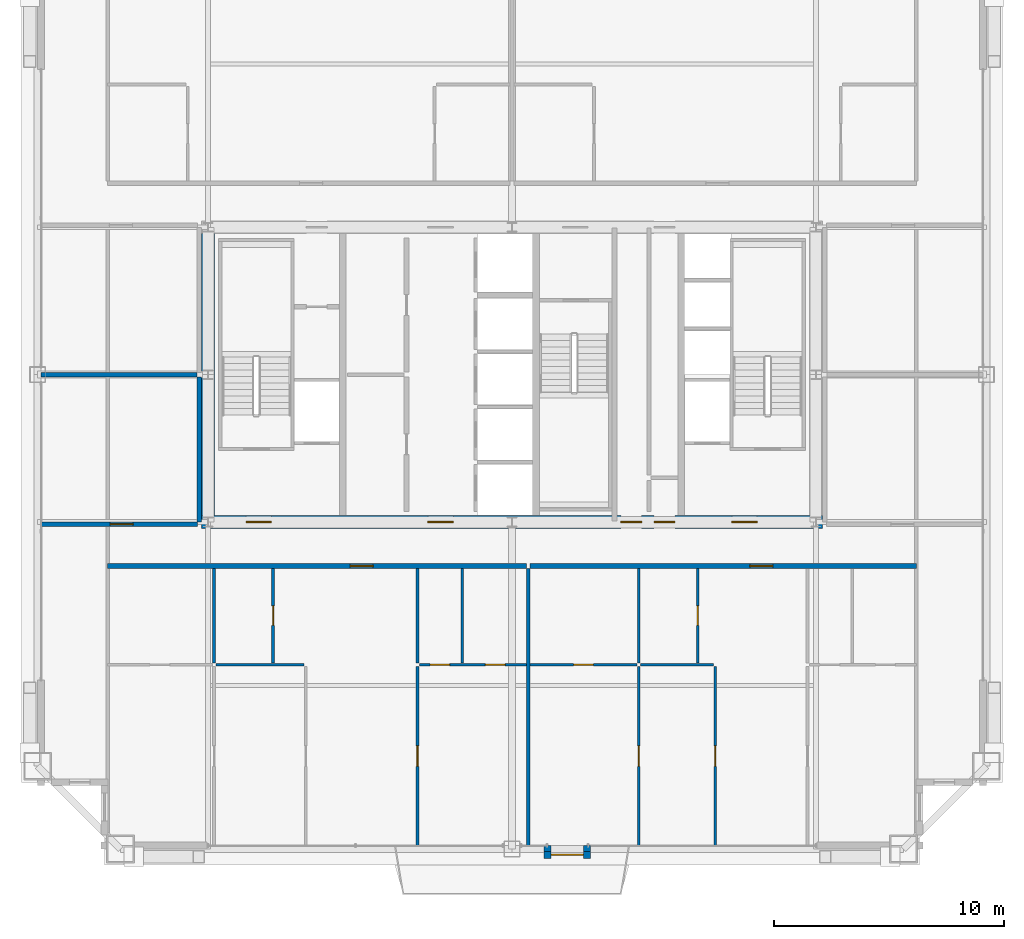
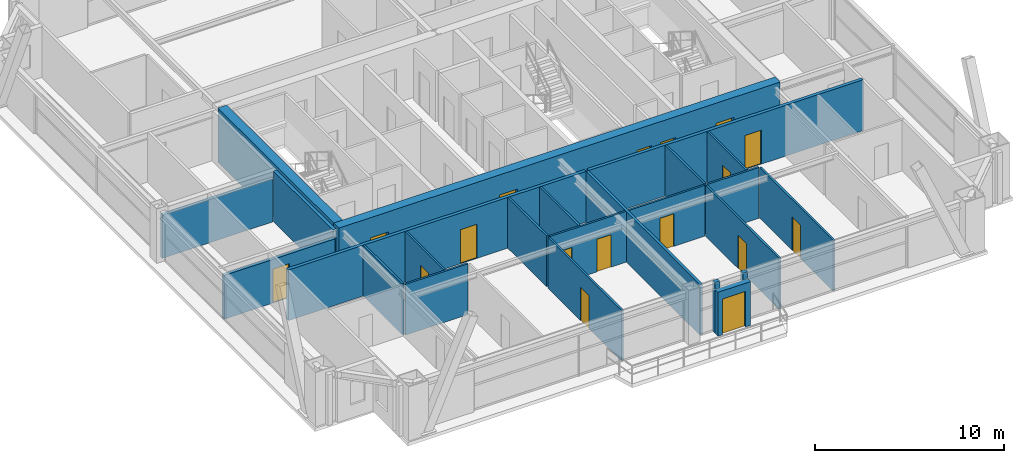
# One storey, part 31 of 35: 24 walls, 17 doors, 17 openings.
"""IFC4 building model written with IfcOpenShell, lengths in metres."""

from ifc_helpers import new_model, si_unit, direction, frame, frame_2d, origin, place, context, subcontext, project, spatial, rectangle, extrude, source, transform, mapped, material, layer, layer_set, type_object, element, fill, save


model = new_model("IFC4")

# Units and contexts
model_context = context("Model", 3, precision=1e-05, world=origin(), true_north=direction((0.0, 1.0)))
body_context = subcontext(model_context, "Body", "Model", "MODEL_VIEW")
ifc_project = project(units=[si_unit("LENGTHUNIT", "METRE"), si_unit("AREAUNIT", "SQUARE_METRE"), si_unit("VOLUMEUNIT", "CUBIC_METRE"), si_unit("PLANEANGLEUNIT", "RADIAN"), si_unit("MASSUNIT", "GRAM", prefix="KILO"), si_unit("THERMODYNAMICTEMPERATUREUNIT", "KELVIN"), si_unit("POWERUNIT", "WATT")], contexts=[model_context])

# Site, building, storey
site_placement = place(None, origin())
site = spatial("IfcSite", under=ifc_project, at=site_placement, CompositionType="ELEMENT")
building_placement = place(site_placement, origin())
building = spatial("IfcBuilding", under=site, at=building_placement, Name="Yuzanri Waterfront Tower", CompositionType="ELEMENT")
storey_placement = place(building_placement, frame((0.0, 0.0, 227.60009765625)))
storey = spatial("IfcBuildingStorey", under=building, at=storey_placement, Name="L60", CompositionType="ELEMENT", Elevation=227.60009765625)

# Wall, opening, door
ifc_material_1 = material(Name="Moisture-Resistant Gypsum Stud Wall", Category="gypsum")
ifc_layer_1 = layer(ifc_material_1, 0.1201171875)
ifc_layer_set_1 = layer_set([ifc_layer_1], Name="Moisture-Resistant Gypsum Stud Wall")
wall_type_1 = type_object("IfcWallType", Name="Bathroom and Kitchen Wet Partition 120", PredefinedType="PARTITIONING", material=ifc_layer_set_1)
wall_1_placement = place(storey_placement, frame((26.625, 13.280029296875, 0.0), z_axis=(0.0, 0.0, 1.0), x_axis=(0.0, 1.0, 0.0)))
wall_1 = element("IfcWall", 1, at=wall_1_placement, inside=storey, type_object=wall_type_1, Name="L60 Partition UW-L60-RS1-SUB-2-E", PredefinedType="PARTITIONING", context=body_context, shape_type="SweptSolid", body=[
    extrude(rectangle(XDim=4.10986328125, YDim=0.1201171875, at=frame_2d((2.054931640625, 0.0))), origin(), (0.0, 0.0, 1.0), 3.27978515625),
])
opening_1_placement = place(wall_1_placement, frame((1.6298828125, 0.0, 0.0)))
opening_1 = element("IfcOpeningElement", 2, at=opening_1_placement, cuts=wall_1, Name="Opening ID-0850", PredefinedType="OPENING", context=body_context, shape_type="SweptSolid", body=[
    extrude(rectangle(XDim=0.85009765625, YDim=2.10009765625, at=frame_2d((0.425048828125, 1.050048828125))), frame((0.0, 0.074951171875, 0.0), z_axis=(0.0, -1.0, 0.0), x_axis=(1.0, 0.0, 0.0)), (0.0, 0.0, 1.0), 0.14990234375),
])
ifc_material_2 = material(Name="Moisture-Resistant Lacquered Timber", Category="wood")
door_type_1 = type_object("IfcDoorType", Name="En-Suite Bathroom and Kitchen Swing Door 850x2100", OperationType="NOTDEFINED", PredefinedType="DOOR", material=ifc_material_2)
shared_shape_1 = source(origin(), body_context, "Body", "SweptSolid", [
    extrude(rectangle(XDim=0.85009765625, YDim=2.10009765625, at=frame_2d((0.425048828125, 1.050048828125))), frame((0.0, 0.02490234375, 0.0), z_axis=(0.0, -1.0, 0.0), x_axis=(1.0, 0.0, 0.0)), (0.0, 0.0, 1.0), 0.050048828125),
])
door_1_placement = place(opening_1_placement, origin())
door_1 = element("IfcDoor", 3, at=door_1_placement, inside=storey, type_object=door_type_1, Name="L60 Suite Interior Room Door", OperationType="SINGLE_SWING_LEFT", OverallHeight=2.10009765625, OverallWidth=0.85009765625, PredefinedType="DOOR", context=body_context, shape_type="MappedRepresentation", body=[
    mapped(shared_shape_1, transform((0.0, 0.0, 0.0), scale=1.0)),
])
fill(opening_1, door_1)

# Wall, openings, doors
wall_2_placement = place(storey_placement, frame((32.97509765625, 13.199951171875, 0.0), z_axis=(0.0, 0.0, 1.0), x_axis=(1.0, 0.0, 0.0)))
wall_2 = element("IfcWall", 4, at=wall_2_placement, inside=storey, type_object=wall_type_1, Name="L60 Partition UW-L60-RS1-SUB-6-N", PredefinedType="PARTITIONING", context=body_context, shape_type="SweptSolid", body=[
    extrude(rectangle(XDim=4.64697265625, YDim=0.1201171875, at=frame_2d((2.323486328125, 0.0))), origin(), (0.0, 0.0, 1.0), 3.27978515625),
])
opening_2_placement = place(wall_2_placement, frame((2.8720703125, 0.0, 0.0)))
opening_2 = element("IfcOpeningElement", 5, at=opening_2_placement, cuts=wall_2, Name="Opening ID-0850", PredefinedType="OPENING", context=body_context, shape_type="SweptSolid", body=[
    extrude(rectangle(XDim=0.85009765625, YDim=2.10009765625, at=frame_2d((0.425048828125, 1.050048828125))), frame((0.0, 0.074951171875, 0.0), z_axis=(0.0, -1.0, 0.0), x_axis=(1.0, 0.0, 0.0)), (0.0, 0.0, 1.0), 0.14990234375),
])
opening_3_placement = place(wall_2_placement, frame((0.468505859375, 0.0, 0.0)))
opening_3 = element("IfcOpeningElement", 6, at=opening_3_placement, cuts=wall_2, Name="Opening ID-0850", PredefinedType="OPENING", context=body_context, shape_type="SweptSolid", body=[
    extrude(rectangle(XDim=0.85009765625, YDim=2.10009765625, at=frame_2d((0.425048828125, 1.050048828125))), frame((0.0, 0.074951171875, 0.0), z_axis=(0.0, -1.0, 0.0), x_axis=(1.0, 0.0, 0.0)), (0.0, 0.0, 1.0), 0.14990234375),
])
door_2_placement = place(opening_2_placement, origin())
door_2 = element("IfcDoor", 7, at=door_2_placement, inside=storey, type_object=door_type_1, Name="L60 Suite Interior Room Door", OperationType="SINGLE_SWING_RIGHT", OverallHeight=2.10009765625, OverallWidth=0.85009765625, PredefinedType="DOOR", context=body_context, shape_type="MappedRepresentation", body=[
    mapped(shared_shape_1, transform((0.0, 0.0, 0.0), scale=1.0)),
])
fill(opening_2, door_2)
door_3_placement = place(opening_3_placement, origin())
door_3 = element("IfcDoor", 8, at=door_3_placement, inside=storey, type_object=door_type_1, Name="L60 Suite Interior Room Door", OperationType="SINGLE_SWING_LEFT", OverallHeight=2.10009765625, OverallWidth=0.85009765625, PredefinedType="DOOR", context=body_context, shape_type="MappedRepresentation", body=[
    mapped(shared_shape_1, transform((0.0, 0.0, 0.0), scale=1.0)),
])
fill(opening_3, door_3)

# Wall, opening, door
wall_3_placement = place(storey_placement, frame((32.89501953125, 5.35009765625, 0.0), z_axis=(0.0, 0.0, 1.0), x_axis=(0.0, 1.0, 0.0)))
wall_3 = element("IfcWall", 9, at=wall_3_placement, inside=storey, type_object=wall_type_1, Name="L60 Partition UW-L60-RS1-SUB-6-W", PredefinedType="PARTITIONING", context=body_context, shape_type="SweptSolid", body=[
    extrude(rectangle(XDim=7.77001953125, YDim=0.1201171875, at=frame_2d((3.885009765625, 0.0))), origin(), (0.0, 0.0, 1.0), 3.27978515625),
])
opening_4_placement = place(wall_3_placement, frame((3.43505859375, 0.0, 0.0)))
opening_4 = element("IfcOpeningElement", 10, at=opening_4_placement, cuts=wall_3, Name="Opening ID-0900", PredefinedType="OPENING", context=body_context, shape_type="SweptSolid", body=[
    extrude(rectangle(XDim=0.89990234375, YDim=2.14990234375, at=frame_2d((0.449951171875, 1.074951171875))), frame((0.0, 0.074951171875, 0.0), z_axis=(0.0, -1.0, 0.0), x_axis=(1.0, 0.0, 0.0)), (0.0, 0.0, 1.0), 0.14990234375),
])
ifc_material_3 = material(Name="Stained Walnut Veneer Timber", Category="wood")
door_type_2 = type_object("IfcDoorType", Name="Bedroom and Study Interior Swing Door 900x2150", OperationType="NOTDEFINED", PredefinedType="DOOR", material=ifc_material_3)
shared_shape_2 = source(origin(), body_context, "Body", "SweptSolid", [
    extrude(rectangle(XDim=0.89990234375, YDim=2.14990234375, at=frame_2d((0.449951171875, 1.074951171875))), frame((0.0, 0.02490234375, 0.0), z_axis=(0.0, -1.0, 0.0), x_axis=(1.0, 0.0, 0.0)), (0.0, 0.0, 1.0), 0.050048828125),
])
door_4_placement = place(opening_4_placement, origin())
door_4 = element("IfcDoor", 11, at=door_4_placement, inside=storey, type_object=door_type_2, Name="L60 Suite Interior Room Door", OperationType="SINGLE_SWING_LEFT", OverallHeight=2.14990234375, OverallWidth=0.89990234375, PredefinedType="DOOR", context=body_context, shape_type="MappedRepresentation", body=[
    mapped(shared_shape_2, transform((0.0, 0.0, 0.0), scale=1.0)),
])
fill(opening_4, door_4)

wall_4_placement = place(storey_placement, frame((37.781982421875, 13.199951171875, 0.0), z_axis=(0.0, 0.0, 1.0), x_axis=(1.0, 0.0, 0.0)))
wall_4 = element("IfcWall", 12, at=wall_4_placement, inside=storey, type_object=wall_type_1, Name="L60 Partition UW-L60-RS2-SUB-1-S", PredefinedType="PARTITIONING", context=body_context, shape_type="SweptSolid", body=[
    extrude(rectangle(XDim=4.64697265625, YDim=0.1201171875, at=frame_2d((2.323486328125, 0.0))), origin(), (0.0, 0.0, 1.0), 3.27978515625),
])
opening_5_placement = place(wall_4_placement, frame((1.8984375, 0.0, 0.0)))
opening_5 = element("IfcOpeningElement", 13, at=opening_5_placement, cuts=wall_4, Name="Opening ID-0850", PredefinedType="OPENING", context=body_context, shape_type="SweptSolid", body=[
    extrude(rectangle(XDim=0.85009765625, YDim=2.10009765625, at=frame_2d((0.425048828125, 1.050048828125))), frame((0.0, 0.074951171875, 0.0), z_axis=(0.0, -1.0, 0.0), x_axis=(1.0, 0.0, 0.0)), (0.0, 0.0, 1.0), 0.14990234375),
])
door_5_placement = place(opening_5_placement, origin())
door_5 = element("IfcDoor", 14, at=door_5_placement, inside=storey, type_object=door_type_1, Name="L60 Suite Interior Room Door", OperationType="SINGLE_SWING_RIGHT", OverallHeight=2.10009765625, OverallWidth=0.85009765625, PredefinedType="DOOR", context=body_context, shape_type="MappedRepresentation", body=[
    mapped(shared_shape_1, transform((0.0, 0.0, 0.0), scale=1.0)),
])
fill(opening_5, door_5)

wall_5_placement = place(storey_placement, frame((45.069091796875, 13.280029296875, 0.0), z_axis=(0.0, 0.0, 1.0), x_axis=(0.0, 1.0, 0.0)))
wall_5 = element("IfcWall", 15, at=wall_5_placement, inside=storey, type_object=wall_type_1, Name="L60 Partition UW-L60-RS2-SUB-2-E", PredefinedType="PARTITIONING", context=body_context, shape_type="SweptSolid", body=[
    extrude(rectangle(XDim=4.10986328125, YDim=0.1201171875, at=frame_2d((2.054931640625, 0.0))), origin(), (0.0, 0.0, 1.0), 3.27978515625),
])
opening_6_placement = place(wall_5_placement, frame((1.6298828125, 0.0, 0.0)))
opening_6 = element("IfcOpeningElement", 16, at=opening_6_placement, cuts=wall_5, Name="Opening ID-0850", PredefinedType="OPENING", context=body_context, shape_type="SweptSolid", body=[
    extrude(rectangle(XDim=0.85009765625, YDim=2.10009765625, at=frame_2d((0.425048828125, 1.050048828125))), frame((0.0, 0.074951171875, 0.0), z_axis=(0.0, -1.0, 0.0), x_axis=(1.0, 0.0, 0.0)), (0.0, 0.0, 1.0), 0.14990234375),
])
door_6_placement = place(opening_6_placement, origin())
door_6 = element("IfcDoor", 17, at=door_6_placement, inside=storey, type_object=door_type_1, Name="L60 Suite Interior Room Door", OperationType="SINGLE_SWING_LEFT", OverallHeight=2.10009765625, OverallWidth=0.85009765625, PredefinedType="DOOR", context=body_context, shape_type="MappedRepresentation", body=[
    mapped(shared_shape_1, transform((0.0, 0.0, 0.0), scale=1.0)),
])
fill(opening_6, door_6)

wall_6_placement = place(storey_placement, frame((42.509033203125, 5.35009765625, 0.0), z_axis=(0.0, 0.0, 1.0), x_axis=(0.0, 1.0, 0.0)))
wall_6 = element("IfcWall", 18, at=wall_6_placement, inside=storey, type_object=wall_type_1, Name="L60 Partition UW-L60-RS2-SUB-5-E", PredefinedType="PARTITIONING", context=body_context, shape_type="SweptSolid", body=[
    extrude(rectangle(XDim=7.77001953125, YDim=0.1201171875, at=frame_2d((3.885009765625, 0.0))), origin(), (0.0, 0.0, 1.0), 3.27978515625),
])
opening_7_placement = place(wall_6_placement, frame((3.43505859375, 0.0, 0.0)))
opening_7 = element("IfcOpeningElement", 19, at=opening_7_placement, cuts=wall_6, Name="Opening ID-0900", PredefinedType="OPENING", context=body_context, shape_type="SweptSolid", body=[
    extrude(rectangle(XDim=0.89990234375, YDim=2.14990234375, at=frame_2d((0.449951171875, 1.074951171875))), frame((0.0, 0.074951171875, 0.0), z_axis=(0.0, -1.0, 0.0), x_axis=(1.0, 0.0, 0.0)), (0.0, 0.0, 1.0), 0.14990234375),
])
door_7_placement = place(opening_7_placement, origin())
door_7 = element("IfcDoor", 20, at=door_7_placement, inside=storey, type_object=door_type_2, Name="L60 Suite Interior Room Door", OperationType="SINGLE_SWING_RIGHT", OverallHeight=2.14990234375, OverallWidth=0.89990234375, PredefinedType="DOOR", context=body_context, shape_type="MappedRepresentation", body=[
    mapped(shared_shape_2, transform((0.0, 0.0, 0.0), scale=1.0)),
])
fill(opening_7, door_7)

wall_7_placement = place(storey_placement, frame((45.821044921875, 5.35009765625, 0.0), z_axis=(0.0, 0.0, 1.0), x_axis=(0.0, 1.0, 0.0)))
wall_7 = element("IfcWall", 21, at=wall_7_placement, inside=storey, type_object=wall_type_1, Name="L60 Partition UW-L60-RS2-SUB-7-E", PredefinedType="PARTITIONING", context=body_context, shape_type="SweptSolid", body=[
    extrude(rectangle(XDim=7.77001953125, YDim=0.1201171875, at=frame_2d((3.885009765625, 0.0))), origin(), (0.0, 0.0, 1.0), 3.27978515625),
])
opening_8_placement = place(wall_7_placement, frame((3.43505859375, 0.0, 0.0)))
opening_8 = element("IfcOpeningElement", 22, at=opening_8_placement, cuts=wall_7, Name="Opening ID-0900", PredefinedType="OPENING", context=body_context, shape_type="SweptSolid", body=[
    extrude(rectangle(XDim=0.89990234375, YDim=2.14990234375, at=frame_2d((0.449951171875, 1.074951171875))), frame((0.0, 0.074951171875, 0.0), z_axis=(0.0, -1.0, 0.0), x_axis=(1.0, 0.0, 0.0)), (0.0, 0.0, 1.0), 0.14990234375),
])
door_8_placement = place(opening_8_placement, origin())
door_8 = element("IfcDoor", 23, at=door_8_placement, inside=storey, type_object=door_type_2, Name="L60 Suite Interior Room Door", OperationType="SINGLE_SWING_RIGHT", OverallHeight=2.14990234375, OverallWidth=0.89990234375, PredefinedType="DOOR", context=body_context, shape_type="MappedRepresentation", body=[
    mapped(shared_shape_2, transform((0.0, 0.0, 0.0), scale=1.0)),
])
fill(opening_8, door_8)

ifc_material_4 = material(Name="Honed Chongqing Dark Basalt Stone", Category="masonry")
ifc_layer_2 = layer(ifc_material_4, 0.300048828125)
ifc_layer_set_2 = layer_set([ifc_layer_2], Name="Honed Chongqing Dark Basalt Stone")
wall_type_2 = type_object("IfcWallType", Name="Bronze Rainscreen Insulated Spandrel Portal Wall 300", PredefinedType="SOLIDWALL", material=ifc_layer_set_2)
wall_8_placement = place(storey_placement, frame((38.39990234375, 4.949951171875, 0.0), z_axis=(0.0, 0.0, 1.0), x_axis=(1.0, 0.0, 0.0)))
wall_8 = element("IfcWall", 24, at=wall_8_placement, inside=storey, type_object=wall_type_2, Name="L60 S Terrace Door Portal Wall", PredefinedType="SOLIDWALL", context=body_context, shape_type="SweptSolid", body=[
    extrude(rectangle(XDim=2.0, YDim=0.300048828125, at=frame_2d((1.0, 0.0))), origin(), (0.0, 0.0, 1.0), 2.8349609375),
])
opening_9_placement = place(wall_8_placement, frame((0.300048828125, 0.0, 0.0)))
opening_9 = element("IfcOpeningElement", 25, at=opening_9_placement, cuts=wall_8, Name="Opening TD-1400", PredefinedType="OPENING", context=body_context, shape_type="SweptSolid", body=[
    extrude(rectangle(XDim=1.39990234375, YDim=2.300048828125, at=frame_2d((0.699951171875, 1.14990234375))), frame((0.0, 0.1650390625, 0.0), z_axis=(0.0, -1.0, 0.0), x_axis=(1.0, 0.0, 0.0)), (0.0, 0.0, 1.0), 0.329833984375),
])
ifc_material_5 = material(Name="Anodized Architectural Bronze", Category="metal")
door_type_3 = type_object("IfcDoorType", Name="Anodized Bronze Balcony and Terrace Glazed Double Door 1400x2300", OperationType="NOTDEFINED", PredefinedType="DOOR", material=ifc_material_5)
shared_shape_3 = source(origin(), body_context, "Body", "SweptSolid", [
    extrude(rectangle(XDim=1.39990234375, YDim=2.300048828125, at=frame_2d((0.699951171875, 1.14990234375))), frame((0.0, 0.02490234375, 0.0), z_axis=(0.0, -1.0, 0.0), x_axis=(1.0, 0.0, 0.0)), (0.0, 0.0, 1.0), 0.050048828125),
])
door_9_placement = place(opening_9_placement, origin())
door_9 = element("IfcDoor", 26, at=door_9_placement, inside=storey, type_object=door_type_3, Name="L60 S Terrace Glazed Double Door", OperationType="DOUBLE_DOOR_SINGLE_SWING", OverallHeight=2.300048828125, OverallWidth=1.39990234375, PredefinedType="DOOR", context=body_context, shape_type="MappedRepresentation", body=[
    mapped(shared_shape_3, transform((0.0, 0.0, 0.0), scale=1.0)),
])
fill(opening_9, door_9)

# Wall, openings, doors
ifc_material_6 = material(Name="Concrete C50", Category="concrete")
ifc_layer_3 = layer(ifc_material_6, 0.550048828125)
ifc_layer_set_3 = layer_set([ifc_layer_3], Name="Concrete C50")
wall_type_3 = type_object("IfcWallType", Name="Concrete C50 Upper-Mid Zone Core Shear Wall 550", PredefinedType="SHEAR", material=ifc_layer_set_3)
wall_9_placement = place(storey_placement, frame((23.52490234375, 19.39990234375, 0.0), z_axis=(0.0, 0.0, 1.0), x_axis=(1.0, 0.0, 0.0)))
wall_9 = element("IfcWall", 27, at=wall_9_placement, inside=storey, type_object=wall_type_3, Name="L60 Core South Shear Wall", PredefinedType="SHEAR", context=body_context, shape_type="SweptSolid", body=[
    extrude(rectangle(XDim=26.9501953125, YDim=0.550048828125, at=frame_2d((13.47509765625, 0.0))), origin(), (0.0, 0.0, 1.0), 3.5),
])
opening_10_placement = place(wall_9_placement, frame((1.925048828125, 0.0, 0.0)))
opening_10 = element("IfcOpeningElement", 28, at=opening_10_placement, cuts=wall_9, Name="Opening FD-1100", PredefinedType="OPENING", context=body_context, shape_type="SweptSolid", body=[
    extrude(rectangle(XDim=1.10009765625, YDim=2.199951171875, at=frame_2d((0.550048828125, 1.10009765625))), frame((0.0, 0.2900390625, 0.0), z_axis=(0.0, -1.0, 0.0), x_axis=(1.0, 0.0, 0.0)), (0.0, 0.0, 1.0), 0.579833984375),
])
opening_11_placement = place(wall_9_placement, frame((9.824951171875, 0.0, 0.0)))
opening_11 = element("IfcOpeningElement", 29, at=opening_11_placement, cuts=wall_9, Name="Opening FD-1100", PredefinedType="OPENING", context=body_context, shape_type="SweptSolid", body=[
    extrude(rectangle(XDim=1.10009765625, YDim=2.199951171875, at=frame_2d((0.550048828125, 1.10009765625))), frame((0.0, 0.2900390625, 0.0), z_axis=(0.0, -1.0, 0.0), x_axis=(1.0, 0.0, 0.0)), (0.0, 0.0, 1.0), 0.579833984375),
])
opening_12_placement = place(wall_9_placement, frame((23.02490234375, 0.0, 0.0)))
opening_12 = element("IfcOpeningElement", 30, at=opening_12_placement, cuts=wall_9, Name="Opening FD-1100", PredefinedType="OPENING", context=body_context, shape_type="SweptSolid", body=[
    extrude(rectangle(XDim=1.10009765625, YDim=2.199951171875, at=frame_2d((0.550048828125, 1.10009765625))), frame((0.0, 0.2900390625, 0.0), z_axis=(0.0, -1.0, 0.0), x_axis=(1.0, 0.0, 0.0)), (0.0, 0.0, 1.0), 0.579833984375),
])
opening_13_placement = place(wall_9_placement, frame((19.64501953125, 0.0, 0.0)))
opening_13 = element("IfcOpeningElement", 31, at=opening_13_placement, cuts=wall_9, Name="Opening FD-0900", PredefinedType="OPENING", context=body_context, shape_type="SweptSolid", body=[
    extrude(rectangle(XDim=0.89990234375, YDim=2.14990234375, at=frame_2d((0.449951171875, 1.074951171875))), frame((0.0, 0.2900390625, 0.0), z_axis=(0.0, -1.0, 0.0), x_axis=(1.0, 0.0, 0.0)), (0.0, 0.0, 1.0), 0.579833984375),
])
opening_14_placement = place(wall_9_placement, frame((18.205078125, 0.0, 0.0)))
opening_14 = element("IfcOpeningElement", 32, at=opening_14_placement, cuts=wall_9, Name="Opening FD-0900", PredefinedType="OPENING", context=body_context, shape_type="SweptSolid", body=[
    extrude(rectangle(XDim=0.89990234375, YDim=2.14990234375, at=frame_2d((0.449951171875, 1.074951171875))), frame((0.0, 0.2900390625, 0.0), z_axis=(0.0, -1.0, 0.0), x_axis=(1.0, 0.0, 0.0)), (0.0, 0.0, 1.0), 0.579833984375),
])
ifc_material_7 = material(Name="Painted Galvanized Fire Steel", Category="steel")
door_type_4 = type_object("IfcDoorType", Name="Smoke-Proof Stair and Lobby Fire Door 1100x2200", OperationType="NOTDEFINED", PredefinedType="DOOR", material=ifc_material_7)
shared_shape_4 = source(origin(), body_context, "Body", "SweptSolid", [
    extrude(rectangle(XDim=1.10009765625, YDim=2.199951171875, at=frame_2d((0.550048828125, 1.10009765625))), frame((0.0, 0.02490234375, 0.0), z_axis=(0.0, -1.0, 0.0), x_axis=(1.0, 0.0, 0.0)), (0.0, 0.0, 1.0), 0.050048828125),
])
door_10_placement = place(opening_10_placement, origin())
door_10 = element("IfcDoor", 33, at=door_10_placement, inside=storey, type_object=door_type_4, Name="L60 West Firefighting Lobby Door", OperationType="SINGLE_SWING_LEFT", OverallHeight=2.199951171875, OverallWidth=1.10009765625, PredefinedType="DOOR", context=body_context, shape_type="MappedRepresentation", body=[
    mapped(shared_shape_4, transform((0.0, 0.0, 0.0), scale=1.0)),
])
fill(opening_10, door_10)
door_11_placement = place(opening_11_placement, origin())
door_11 = element("IfcDoor", 34, at=door_11_placement, inside=storey, type_object=door_type_4, Name="L60 Central Lift Lobby South Door", OperationType="SINGLE_SWING_RIGHT", OverallHeight=2.199951171875, OverallWidth=1.10009765625, PredefinedType="DOOR", context=body_context, shape_type="MappedRepresentation", body=[
    mapped(shared_shape_4, transform((0.0, 0.0, 0.0), scale=1.0)),
])
fill(opening_11, door_11)
door_12_placement = place(opening_12_placement, origin())
door_12 = element("IfcDoor", 35, at=door_12_placement, inside=storey, type_object=door_type_4, Name="L60 East Firefighting Lobby Door", OperationType="SINGLE_SWING_LEFT", OverallHeight=2.199951171875, OverallWidth=1.10009765625, PredefinedType="DOOR", context=body_context, shape_type="MappedRepresentation", body=[
    mapped(shared_shape_4, transform((0.0, 0.0, 0.0), scale=1.0)),
])
fill(opening_12, door_12)
ifc_material_8 = material(Name="Painted Galvanized Fire Steel", Category="steel")
door_type_5 = type_object("IfcDoorType", Name="Riser and Service Room Fire Door 900x2150", OperationType="NOTDEFINED", PredefinedType="DOOR", material=ifc_material_8)
shared_shape_5 = source(origin(), body_context, "Body", "SweptSolid", [
    extrude(rectangle(XDim=0.89990234375, YDim=2.14990234375, at=frame_2d((0.449951171875, 1.074951171875))), frame((0.0, 0.02490234375, 0.0), z_axis=(0.0, -1.0, 0.0), x_axis=(1.0, 0.0, 0.0)), (0.0, 0.0, 1.0), 0.050048828125),
])
door_13_placement = place(opening_13_placement, origin())
door_13 = element("IfcDoor", 36, at=door_13_placement, inside=storey, type_object=door_type_5, Name="L60 East Wet Riser Door", OperationType="SINGLE_SWING_RIGHT", OverallHeight=2.14990234375, OverallWidth=0.89990234375, PredefinedType="DOOR", context=body_context, shape_type="MappedRepresentation", body=[
    mapped(shared_shape_5, transform((0.0, 0.0, 0.0), scale=1.0)),
])
fill(opening_13, door_13)
door_14_placement = place(opening_14_placement, origin())
door_14 = element("IfcDoor", 37, at=door_14_placement, inside=storey, type_object=door_type_5, Name="L60 Cleaners Store Room", OperationType="SINGLE_SWING_LEFT", OverallHeight=2.14990234375, OverallWidth=0.89990234375, PredefinedType="DOOR", context=body_context, shape_type="MappedRepresentation", body=[
    mapped(shared_shape_5, transform((0.0, 0.0, 0.0), scale=1.0)),
])
fill(opening_14, door_14)

# Wall, opening, door
ifc_material_9 = material(Name="Autoclaved Aerated Concrete Blockwork", Category="masonry")
ifc_layer_4 = layer(ifc_material_9, 0.199951171875)
ifc_layer_set_4 = layer_set([ifc_layer_4], Name="Autoclaved Aerated Concrete Blockwork")
wall_type_4 = type_object("IfcWallType", Name="Corridor and Unit Party Fire Wall 200", PredefinedType="PARTITIONING", material=ifc_layer_set_4)
wall_10_placement = place(storey_placement, frame((19.43994140625, 17.489990234375, 0.0), z_axis=(0.0, 0.0, 1.0), x_axis=(1.0, 0.0, 0.0)))
wall_10 = element("IfcWall", 38, at=wall_10_placement, inside=storey, type_object=wall_type_4, Name="L60 Partition UW-L60-RS1-CN", PredefinedType="PARTITIONING", context=body_context, shape_type="SweptSolid", body=[
    extrude(rectangle(XDim=18.18212890625, YDim=0.199951171875, at=frame_2d((9.091064453125, 0.0))), origin(), (0.0, 0.0, 1.0), 3.27978515625),
])
opening_15_placement = place(wall_10_placement, frame((10.528076171875, 0.0, 0.0)))
opening_15 = element("IfcOpeningElement", 39, at=opening_15_placement, cuts=wall_10, Name="Opening FD-1000", PredefinedType="OPENING", context=body_context, shape_type="SweptSolid", body=[
    extrude(rectangle(XDim=1.0, YDim=2.199951171875, at=frame_2d((0.5, 1.10009765625))), frame((0.0, 0.11474609375, 0.0), z_axis=(0.0, -1.0, 0.0), x_axis=(1.0, 0.0, 0.0)), (0.0, 0.0, 1.0), 0.229736328125),
])
ifc_material_10 = material(Name="Engineered Oak Fire-Rated Timber", Category="wood")
door_type_6 = type_object("IfcDoorType", Name="Guestroom and Apartment Entrance Fire Door 1000x2200", OperationType="NOTDEFINED", PredefinedType="DOOR", material=ifc_material_10)
shared_shape_6 = source(origin(), body_context, "Body", "SweptSolid", [
    extrude(rectangle(XDim=1.0, YDim=2.199951171875, at=frame_2d((0.5, 1.10009765625))), frame((0.0, 0.02490234375, 0.0), z_axis=(0.0, -1.0, 0.0), x_axis=(1.0, 0.0, 0.0)), (0.0, 0.0, 1.0), 0.050048828125),
])
door_15_placement = place(opening_15_placement, origin())
door_15 = element("IfcDoor", 40, at=door_15_placement, inside=storey, type_object=door_type_6, Name="L60 Apartment Living and Dining Salon Entrance Door", OperationType="SINGLE_SWING_LEFT", OverallHeight=2.199951171875, OverallWidth=1.0, PredefinedType="DOOR", context=body_context, shape_type="MappedRepresentation", body=[
    mapped(shared_shape_6, transform((0.0, 0.0, 0.0), scale=1.0)),
])
fill(opening_15, door_15)

wall_11_placement = place(storey_placement, frame((37.781982421875, 17.489990234375, 0.0), z_axis=(0.0, 0.0, 1.0), x_axis=(1.0, 0.0, 0.0)))
wall_11 = element("IfcWall", 41, at=wall_11_placement, inside=storey, type_object=wall_type_4, Name="L60 Partition UW-L60-RS2-CN", PredefinedType="PARTITIONING", context=body_context, shape_type="SweptSolid", body=[
    extrude(rectangle(XDim=16.778076171875, YDim=0.199951171875, at=frame_2d((8.38916015625, 0.0))), origin(), (0.0, 0.0, 1.0), 3.27978515625),
])
opening_16_placement = place(wall_11_placement, frame((9.544921875, 0.0, 0.0)))
opening_16 = element("IfcOpeningElement", 42, at=opening_16_placement, cuts=wall_11, Name="Opening FD-1000", PredefinedType="OPENING", context=body_context, shape_type="SweptSolid", body=[
    extrude(rectangle(XDim=1.0, YDim=2.199951171875, at=frame_2d((0.5, 1.10009765625))), frame((0.0, 0.11474609375, 0.0), z_axis=(0.0, -1.0, 0.0), x_axis=(1.0, 0.0, 0.0)), (0.0, 0.0, 1.0), 0.229736328125),
])
door_16_placement = place(opening_16_placement, origin())
door_16 = element("IfcDoor", 43, at=door_16_placement, inside=storey, type_object=door_type_6, Name="L60 Apartment Living and Dining Salon Entrance Door", OperationType="SINGLE_SWING_LEFT", OverallHeight=2.199951171875, OverallWidth=1.0, PredefinedType="DOOR", context=body_context, shape_type="MappedRepresentation", body=[
    mapped(shared_shape_6, transform((0.0, 0.0, 0.0), scale=1.0)),
])
fill(opening_16, door_16)

wall_12_placement = place(storey_placement, frame((16.550048828125, 19.31005859375, 0.0), z_axis=(0.0, 0.0, 1.0), x_axis=(1.0, 0.0, 0.0)))
wall_12 = element("IfcWall", 44, at=wall_12_placement, inside=storey, type_object=wall_type_4, Name="L60 Partition UW-L60-039-CS", PredefinedType="PARTITIONING", context=body_context, shape_type="SweptSolid", body=[
    extrude(rectangle(XDim=6.800048828125, YDim=0.199951171875, at=frame_2d((3.39990234375, 0.0))), origin(), (0.0, 0.0, 1.0), 2.824951171875),
])
opening_17_placement = place(wall_12_placement, frame((3.0, 0.0, 0.0)))
opening_17 = element("IfcOpeningElement", 45, at=opening_17_placement, cuts=wall_12, Name="Opening FD-1000", PredefinedType="OPENING", context=body_context, shape_type="SweptSolid", body=[
    extrude(rectangle(XDim=1.0, YDim=2.199951171875, at=frame_2d((0.5, 1.10009765625))), frame((0.0, 0.11474609375, 0.0), z_axis=(0.0, -1.0, 0.0), x_axis=(1.0, 0.0, 0.0)), (0.0, 0.0, 1.0), 0.229736328125),
])
door_17_placement = place(opening_17_placement, origin())
door_17 = element("IfcDoor", 46, at=door_17_placement, inside=storey, type_object=door_type_6, Name="L60 Residents W Boardroom Meeting Room Entrance Door", OperationType="SINGLE_SWING_LEFT", OverallHeight=2.199951171875, OverallWidth=1.0, PredefinedType="DOOR", context=body_context, shape_type="MappedRepresentation", body=[
    mapped(shared_shape_6, transform((0.0, 0.0, 0.0), scale=1.0)),
])
fill(opening_17, door_17)

# Walls
shared_shape_7 = source(origin(), body_context, "Body", "SweptSolid", [
    extrude(rectangle(XDim=12.25, YDim=0.550048828125, at=frame_2d((6.125, 0.0))), origin(), (0.0, 0.0, 1.0), 3.5),
])
wall_13_placement = place(storey_placement, frame((23.800048828125, 19.675048828125, 0.0), z_axis=(0.0, 0.0, 1.0), x_axis=(0.0, 1.0, 0.0)))
element("IfcWall", 47, at=wall_13_placement, inside=storey, type_object=wall_type_3, Name="L60 Core West Shear Wall", PredefinedType="SHEAR", context=body_context, shape_type="MappedRepresentation", body=[
    mapped(shared_shape_7, transform((0.0, 0.0, 0.0), scale=1.0)),
])
shared_shape_8 = source(origin(), body_context, "Body", "SweptSolid", [
    extrude(rectangle(XDim=0.25, YDim=0.300048828125, at=frame_2d((0.125, 0.0))), origin(), (0.0, 0.0, 1.0), 3.27978515625),
])
for number, where, z_axis, x_axis, name in (
    (48, (38.550048828125, 5.35009765625, 0.0), (0.0, 0.0, 1.0), (0.0, -1.0, 0.0), "L60 S Terrace Portal Left Return"),
    (49, (40.25, 5.10009765625, 0.0), (0.0, 0.0, 1.0), (0.0, 1.0, 0.0), "L60 S Terrace Portal Right Return"),
):
    element("IfcWall", number, at=place(storey_placement, frame(where, z_axis=z_axis, x_axis=x_axis)), inside=storey, type_object=wall_type_2, Name=name, PredefinedType="SOLIDWALL", context=body_context, shape_type="MappedRepresentation", body=[
        mapped(shared_shape_8, transform((0.0, 0.0, 0.0), scale=1.0)),
    ])
ifc_material_11 = material(Name="Gypsum Fireboard Acoustic Stud Wall", Category="gypsum")
ifc_layer_5 = layer(ifc_material_11, 0.159912109375)
ifc_layer_set_5 = layer_set([ifc_layer_5], Name="Gypsum Fireboard Acoustic Stud Wall")
wall_type_5 = type_object("IfcWallType", Name="Acoustic Suite Demising Partition 160", PredefinedType="PARTITIONING", material=ifc_layer_set_5)
shared_shape_9 = source(origin(), body_context, "Body", "SweptSolid", [
    extrude(rectangle(XDim=12.039794921875, YDim=0.159912109375, at=frame_2d((6.02001953125, 0.0))), origin(), (0.0, 0.0, 1.0), 3.27978515625),
])
wall_14_placement = place(storey_placement, frame((37.701904296875, 5.35009765625, 0.0), z_axis=(0.0, 0.0, 1.0), x_axis=(0.0, 1.0, 0.0)))
element("IfcWall", 50, at=wall_14_placement, inside=storey, type_object=wall_type_5, Name="L60-RS1 Party Wall", PredefinedType="PARTITIONING", context=body_context, shape_type="MappedRepresentation", body=[
    mapped(shared_shape_9, transform((0.0, 0.0, 0.0), scale=1.0)),
])
shared_shape_10 = source(origin(), body_context, "Body", "SweptSolid", [
    extrude(rectangle(XDim=4.10986328125, YDim=0.1201171875, at=frame_2d((2.054931640625, 0.0))), origin(), (0.0, 0.0, 1.0), 3.27978515625),
])
for number, where, z_axis, x_axis, name in (
    (51, (24.06494140625, 13.280029296875, 0.0), (0.0, 0.0, 1.0), (0.0, 1.0, 0.0), "L60 Partition UW-L60-RS1-SUB-1-E"),
    (52, (34.842041015625, 13.280029296875, 0.0), (0.0, 0.0, 1.0), (0.0, 1.0, 0.0), "L60 Partition UW-L60-RS1-SUB-3-W"),
    (53, (32.89501953125, 13.280029296875, 0.0), (0.0, 0.0, 1.0), (0.0, 1.0, 0.0), "L60 Partition UW-L60-RS1-SUB-4-W"),
    (54, (42.509033203125, 13.280029296875, 0.0), (0.0, 0.0, 1.0), (0.0, 1.0, 0.0), "L60 Partition UW-L60-RS2-SUB-1-E"),
):
    element("IfcWall", number, at=place(storey_placement, frame(where, z_axis=z_axis, x_axis=x_axis)), inside=storey, type_object=wall_type_1, Name=name, PredefinedType="PARTITIONING", context=body_context, shape_type="MappedRepresentation", body=[
        mapped(shared_shape_10, transform((0.0, 0.0, 0.0), scale=1.0)),
    ])
shared_shape_11 = source(origin(), body_context, "Body", "SweptSolid", [
    extrude(rectangle(XDim=3.81494140625, YDim=0.1201171875, at=frame_2d((1.907470703125, 0.0))), origin(), (0.0, 0.0, 1.0), 3.27978515625),
])
wall_15_placement = place(storey_placement, frame((24.14501953125, 13.199951171875, 0.0), z_axis=(0.0, 0.0, 1.0), x_axis=(1.0, 0.0, 0.0)))
element("IfcWall", 55, at=wall_15_placement, inside=storey, type_object=wall_type_1, Name="L60 Partition UW-L60-RS1-SUB-7-N", PredefinedType="PARTITIONING", context=body_context, shape_type="MappedRepresentation", body=[
    mapped(shared_shape_11, transform((0.0, 0.0, 0.0), scale=1.0)),
])
shared_shape_12 = source(origin(), body_context, "Body", "SweptSolid", [
    extrude(rectangle(XDim=3.15185546875, YDim=0.1201171875, at=frame_2d((1.575927734375, 0.0))), origin(), (0.0, 0.0, 1.0), 3.27978515625),
])
wall_16_placement = place(storey_placement, frame((42.589111328125, 13.199951171875, 0.0), z_axis=(0.0, 0.0, 1.0), x_axis=(1.0, 0.0, 0.0)))
element("IfcWall", 56, at=wall_16_placement, inside=storey, type_object=wall_type_1, Name="L60 Partition UW-L60-RS2-SUB-7-N", PredefinedType="PARTITIONING", context=body_context, shape_type="MappedRepresentation", body=[
    mapped(shared_shape_12, transform((0.0, 0.0, 0.0), scale=1.0)),
])
shared_shape_13 = source(origin(), body_context, "Body", "SweptSolid", [
    extrude(rectangle(XDim=6.764892578125, YDim=0.199951171875, at=frame_2d((3.38232421875, 0.0))), origin(), (0.0, 0.0, 1.0), 2.786865234375),
])
wall_17_placement = place(storey_placement, frame((16.550048828125, 25.800048828125, 0.0), z_axis=(0.0, 0.0, 1.0), x_axis=(1.0, 0.0, 0.0)))
element("IfcWall", 57, at=wall_17_placement, inside=storey, type_object=wall_type_4, Name="L60-039 Wing North Wall", PredefinedType="PARTITIONING", context=body_context, shape_type="MappedRepresentation", body=[
    mapped(shared_shape_13, transform((0.0, 0.0, 0.0), scale=1.0)),
])
shared_shape_14 = source(origin(), body_context, "Body", "SweptSolid", [
    extrude(rectangle(XDim=6.2900390625, YDim=0.199951171875, at=frame_2d((3.14501953125, 0.0))), origin(), (0.0, 0.0, 1.0), 3.27978515625),
])
wall_18_placement = place(storey_placement, frame((23.419921875, 19.409912109375, 0.0), z_axis=(0.0, 0.0, 1.0), x_axis=(0.0, 1.0, 0.0)))
element("IfcWall", 58, at=wall_18_placement, inside=storey, type_object=wall_type_4, Name="L60-039 Wing Inner Core-Side Wall", PredefinedType="PARTITIONING", context=body_context, shape_type="MappedRepresentation", body=[
    mapped(shared_shape_14, transform((0.0, 0.0, 0.0), scale=1.0)),
])

save(model, "model.ifc")
